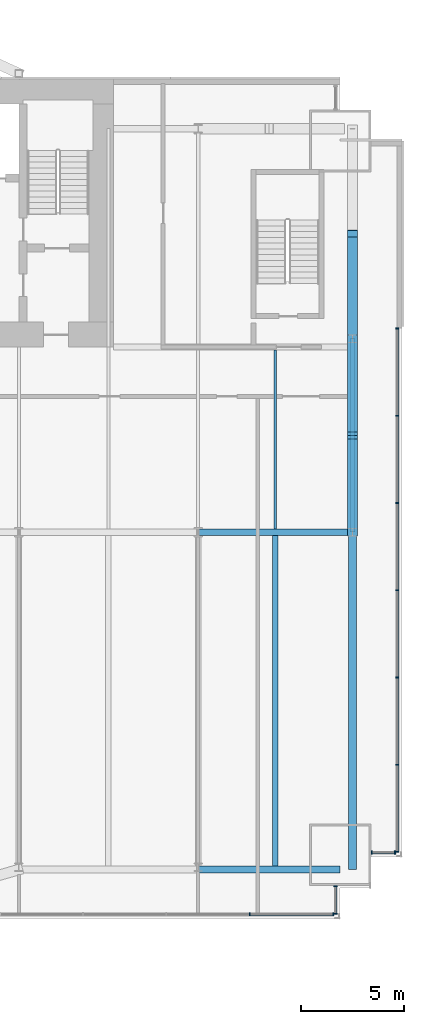
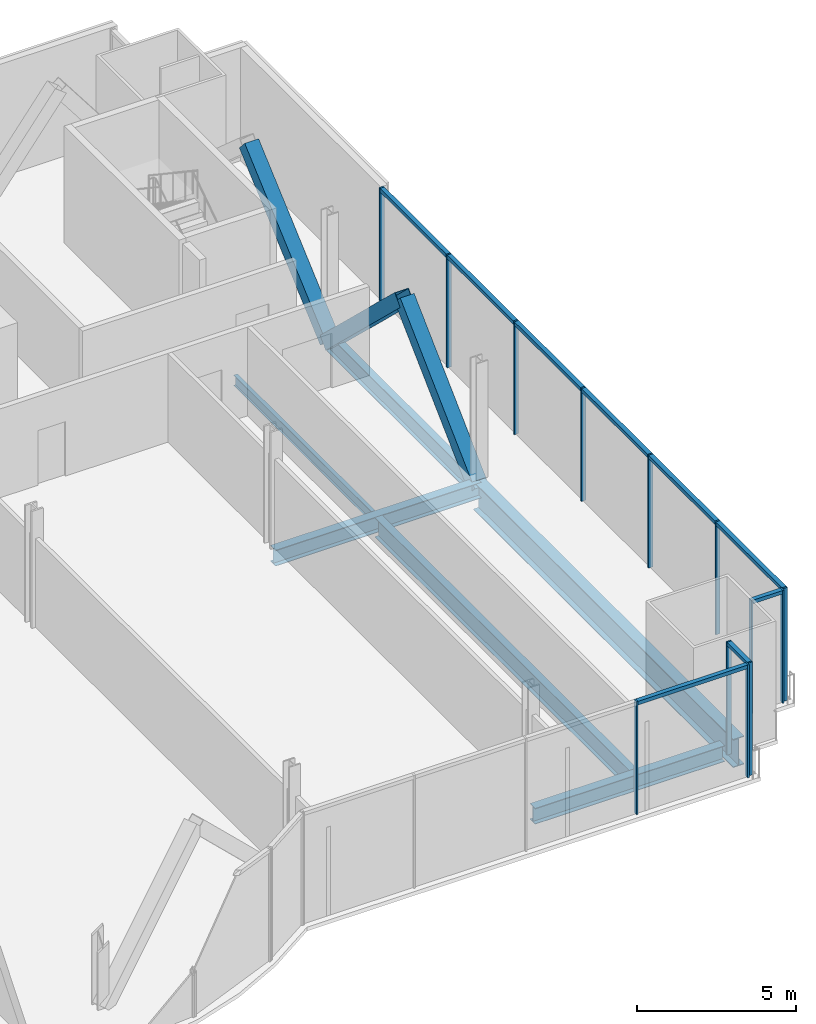
# One storey, part 12 of 21: 25 members, 6 beams, 4 elements without a shape of their own.
"""IFC4 building model written with IfcOpenShell, lengths in metres."""

from ifc_helpers import new_model, si_unit, direction, frame, origin, origin_2d, place, context, subcontext, project, spatial, rectangle, hollow_rectangle, i_section, extrude, material, material_profile, profile_set, type_object, element, aggregate, save


model = new_model("IFC4")

# Units and contexts
model_context = context("Model", 3, precision=1e-05, world=origin(), true_north=direction((0.0, 1.0)))
body_context = subcontext(model_context, "Body", "Model", "MODEL_VIEW")
ifc_project = project(units=[si_unit("LENGTHUNIT", "METRE"), si_unit("AREAUNIT", "SQUARE_METRE"), si_unit("VOLUMEUNIT", "CUBIC_METRE"), si_unit("PLANEANGLEUNIT", "RADIAN"), si_unit("MASSUNIT", "GRAM", prefix="KILO")], contexts=[model_context])

# Site, building, storey
site_placement = place(None, origin())
site = spatial("IfcSite", under=ifc_project, at=site_placement, CompositionType="ELEMENT")
building_placement = place(site_placement, origin())
building = spatial("IfcBuilding", under=site, at=building_placement, Name="Bicima Exchange Tower", CompositionType="ELEMENT")
storey_placement = place(building_placement, frame((0.0, 0.0, 57.5)))
storey = spatial("IfcBuildingStorey", under=building, at=storey_placement, Name="L11", CompositionType="ELEMENT", Elevation=57.5)

# Curtain wall, members
ifc_material_1 = material(Name="Anodised bronze aluminium", Category="aluminium")
curtain_wall_type_1 = type_object("IfcCurtainWallType", Name="End face glass wall", PredefinedType="NOTDEFINED", material=ifc_material_1)
curtain_wall_1_placement = place(storey_placement, origin())
curtain_wall_1 = element("IfcCurtainWall", 1, at=curtain_wall_1_placement, inside=storey, type_object=curtain_wall_type_1, Name="End face glass wall L11 run 19", PredefinedType="NOTDEFINED")
ifc_material_profile_1 = material_profile(ifc_material_1, rectangle(XDim=0.159912109375, YDim=0.06005859375, at=origin_2d()))
ifc_profile_set_1 = profile_set([ifc_material_profile_1], Name="Anodised bronze aluminium")
member_type_1 = type_object("IfcMemberType", Name="End face glass wall mullion 60 x 160", PredefinedType="MULLION", material=ifc_profile_set_1)
member_1_placement = place(storey_placement, frame((35.77001953125, -37.52001953125, 0.0), z_axis=(0.0, 0.0, 1.0), x_axis=(-1.0, 0.0, 0.0)))
member_1 = element("IfcMember", 2, at=member_1_placement, type_object=member_type_1, Name="End face glass wall mullion 1", PredefinedType="MULLION", context=body_context, shape_type="SweptSolid", body=[
    extrude(rectangle(XDim=0.159912109375, YDim=0.06005859375, at=origin_2d()), origin(), (0.0, 0.0, 1.0), 4.35009765625),
])
member_2_placement = place(storey_placement, frame((35.77001953125, -33.284912109375, 0.0), z_axis=(0.0, 0.0, 1.0), x_axis=(-1.0, 0.0, 0.0)))
member_2 = element("IfcMember", 3, at=member_2_placement, type_object=member_type_1, Name="End face glass wall mullion 2", PredefinedType="MULLION", context=body_context, shape_type="SweptSolid", body=[
    extrude(rectangle(XDim=0.159912109375, YDim=0.06005859375, at=origin_2d()), origin(), (0.0, 0.0, 1.0), 4.35009765625),
])
member_3_placement = place(storey_placement, frame((35.77001953125, -29.050048828125, 0.0), z_axis=(0.0, 0.0, 1.0), x_axis=(-1.0, 0.0, 0.0)))
member_3 = element("IfcMember", 4, at=member_3_placement, type_object=member_type_1, Name="End face glass wall mullion 3", PredefinedType="MULLION", context=body_context, shape_type="SweptSolid", body=[
    extrude(rectangle(XDim=0.159912109375, YDim=0.06005859375, at=origin_2d()), origin(), (0.0, 0.0, 1.0), 4.35009765625),
])
member_4_placement = place(storey_placement, frame((35.77001953125, -24.81494140625, 0.0), z_axis=(0.0, 0.0, 1.0), x_axis=(-1.0, 0.0, 0.0)))
member_4 = element("IfcMember", 5, at=member_4_placement, type_object=member_type_1, Name="End face glass wall mullion 4", PredefinedType="MULLION", context=body_context, shape_type="SweptSolid", body=[
    extrude(rectangle(XDim=0.159912109375, YDim=0.06005859375, at=origin_2d()), origin(), (0.0, 0.0, 1.0), 4.35009765625),
])
member_5_placement = place(storey_placement, frame((35.77001953125, -20.580078125, 0.0), z_axis=(0.0, 0.0, 1.0), x_axis=(-1.0, 0.0, 0.0)))
member_5 = element("IfcMember", 6, at=member_5_placement, type_object=member_type_1, Name="End face glass wall mullion 5", PredefinedType="MULLION", context=body_context, shape_type="SweptSolid", body=[
    extrude(rectangle(XDim=0.159912109375, YDim=0.06005859375, at=origin_2d()), origin(), (0.0, 0.0, 1.0), 4.35009765625),
])
member_6_placement = place(storey_placement, frame((35.77001953125, -16.344970703125, 0.0), z_axis=(0.0, 0.0, 1.0), x_axis=(-1.0, 0.0, 0.0)))
member_6 = element("IfcMember", 7, at=member_6_placement, type_object=member_type_1, Name="End face glass wall mullion 6", PredefinedType="MULLION", context=body_context, shape_type="SweptSolid", body=[
    extrude(rectangle(XDim=0.159912109375, YDim=0.06005859375, at=origin_2d()), origin(), (0.0, 0.0, 1.0), 4.35009765625),
])
member_7_placement = place(storey_placement, frame((35.77001953125, -12.110107421875, 0.0), z_axis=(0.0, 0.0, 1.0), x_axis=(-1.0, 0.0, 0.0)))
member_7 = element("IfcMember", 8, at=member_7_placement, type_object=member_type_1, Name="End face glass wall mullion 7", PredefinedType="MULLION", context=body_context, shape_type="SweptSolid", body=[
    extrude(rectangle(XDim=0.159912109375, YDim=0.06005859375, at=origin_2d()), origin(), (0.0, 0.0, 1.0), 4.35009765625),
])
ifc_material_profile_2 = material_profile(ifc_material_1, rectangle(XDim=0.159912109375, YDim=0.139892578125, at=origin_2d()))
ifc_profile_set_2 = profile_set([ifc_material_profile_2], Name="Anodised bronze aluminium")
member_type_2 = type_object("IfcMemberType", Name="End face glass wall transom 140 x 160", PredefinedType="USERDEFINED", material=ifc_profile_set_2)
member_8_placement = place(storey_placement, frame((35.77001953125, -37.489990234375, 4.280029296875), z_axis=(0.0, 1.0, 0.0), x_axis=(-1.0, 0.0, 0.0)))
member_8 = element("IfcMember", 9, at=member_8_placement, type_object=member_type_2, Name="End face glass wall transom 1.1", ObjectType="TRANSOM", PredefinedType="USERDEFINED", context=body_context, shape_type="SweptSolid", body=[
    extrude(rectangle(XDim=0.159912109375, YDim=0.139892578125, at=origin_2d()), origin(), (0.0, 0.0, 1.0), 4.175048828125),
])
member_9_placement = place(storey_placement, frame((35.77001953125, -33.2548828125, 4.280029296875), z_axis=(0.0, 1.0, 0.0), x_axis=(-1.0, 0.0, 0.0)))
member_9 = element("IfcMember", 10, at=member_9_placement, type_object=member_type_2, Name="End face glass wall transom 2.1", ObjectType="TRANSOM", PredefinedType="USERDEFINED", context=body_context, shape_type="SweptSolid", body=[
    extrude(rectangle(XDim=0.159912109375, YDim=0.139892578125, at=origin_2d()), origin(), (0.0, 0.0, 1.0), 4.1748046875),
])
member_10_placement = place(storey_placement, frame((35.77001953125, -29.02001953125, 4.280029296875), z_axis=(0.0, 1.0, 0.0), x_axis=(-1.0, 0.0, 0.0)))
member_10 = element("IfcMember", 11, at=member_10_placement, type_object=member_type_2, Name="End face glass wall transom 3.1", ObjectType="TRANSOM", PredefinedType="USERDEFINED", context=body_context, shape_type="SweptSolid", body=[
    extrude(rectangle(XDim=0.159912109375, YDim=0.139892578125, at=origin_2d()), origin(), (0.0, 0.0, 1.0), 4.175048828125),
])
member_11_placement = place(storey_placement, frame((35.77001953125, -24.784912109375, 4.280029296875), z_axis=(0.0, 1.0, 0.0), x_axis=(-1.0, 0.0, 0.0)))
member_11 = element("IfcMember", 12, at=member_11_placement, type_object=member_type_2, Name="End face glass wall transom 4.1", ObjectType="TRANSOM", PredefinedType="USERDEFINED", context=body_context, shape_type="SweptSolid", body=[
    extrude(rectangle(XDim=0.159912109375, YDim=0.139892578125, at=origin_2d()), origin(), (0.0, 0.0, 1.0), 4.1748046875),
])
member_12_placement = place(storey_placement, frame((35.77001953125, -20.550048828125, 4.280029296875), z_axis=(0.0, 1.0, 0.0), x_axis=(-1.0, 0.0, 0.0)))
member_12 = element("IfcMember", 13, at=member_12_placement, type_object=member_type_2, Name="End face glass wall transom 5.1", ObjectType="TRANSOM", PredefinedType="USERDEFINED", context=body_context, shape_type="SweptSolid", body=[
    extrude(rectangle(XDim=0.159912109375, YDim=0.139892578125, at=origin_2d()), origin(), (0.0, 0.0, 1.0), 4.175048828125),
])
member_13_placement = place(storey_placement, frame((35.77001953125, -16.31494140625, 4.280029296875), z_axis=(0.0, 1.0, 0.0), x_axis=(-1.0, 0.0, 0.0)))
member_13 = element("IfcMember", 14, at=member_13_placement, type_object=member_type_2, Name="End face glass wall transom 6.1", ObjectType="TRANSOM", PredefinedType="USERDEFINED", context=body_context, shape_type="SweptSolid", body=[
    extrude(rectangle(XDim=0.159912109375, YDim=0.139892578125, at=origin_2d()), origin(), (0.0, 0.0, 1.0), 4.175048828125),
])
aggregate(curtain_wall_1, [member_1, member_2, member_3, member_4, member_5, member_6, member_7, member_8, member_9, member_10, member_11, member_12, member_13])

# Beams
ifc_material_2 = material(Name="Steel ASTM A992 Gr 50", Category="steel")
ifc_material_profile_3 = material_profile(ifc_material_2, i_section(OverallWidth=0.256591796875, OverallDepth=0.693359375, WebThickness=0.014404296875, FlangeThickness=0.023681640625, at=origin_2d()))
ifc_profile_set_3 = profile_set([ifc_material_profile_3], Name="Steel ASTM A992 Gr 50")
beam_type_1 = type_object("IfcBeamType", Name="End girder W27x114", PredefinedType="BEAM", material=ifc_profile_set_3)
beam_1_placement = place(storey_placement, frame((33.60009765625, -12.60009765625, -0.49658203125), z_axis=(0.0, -1.0, 0.0), x_axis=(1.0, 0.0, 0.0)))
element("IfcBeam", 15, at=beam_1_placement, inside=storey, type_object=beam_type_1, Name="End girder", PredefinedType="BEAM", context=body_context, shape_type="SweptSolid", body=[
    extrude(i_section(OverallWidth=0.256591796875, OverallDepth=0.693359375, WebThickness=0.014404296875, FlangeThickness=0.023681640625, at=origin_2d()), origin(), (0.0, 0.0, 1.0), 9.39990234375),
])
ifc_material_profile_4 = material_profile(ifc_material_2, i_section(OverallWidth=0.4013671875, OverallDepth=1.089599609375, WebThickness=0.01806640625, FlangeThickness=0.031005859375, at=origin_2d()))
ifc_profile_set_4 = profile_set([ifc_material_profile_4], Name="Steel ASTM A992 Gr 50")
beam_type_2 = type_object("IfcBeamType", Name="End girder W44x230", PredefinedType="BEAM", material=ifc_profile_set_4)
beam_2_placement = place(storey_placement, frame((33.60009765625, -22.0, -0.69482421875), z_axis=(0.0, -1.0, 0.0), x_axis=(1.0, 0.0, 0.0)))
element("IfcBeam", 16, at=beam_2_placement, inside=storey, type_object=beam_type_2, Name="End girder", PredefinedType="BEAM", context=body_context, shape_type="SweptSolid", body=[
    extrude(i_section(OverallWidth=0.4013671875, OverallDepth=1.089599609375, WebThickness=0.01806640625, FlangeThickness=0.031005859375, at=origin_2d()), origin(), (0.0, 0.0, 1.0), 16.3798828125),
])
ifc_material_profile_5 = material_profile(ifc_material_2, i_section(OverallWidth=0.140380859375, OverallDepth=0.40380859375, WebThickness=0.007080078125, FlangeThickness=0.01123046875, at=origin_2d()))
ifc_profile_set_5 = profile_set([ifc_material_profile_5], Name="Steel ASTM A992 Gr 50")
beam_type_3 = type_object("IfcBeamType", Name="Floor beam W16x31", PredefinedType="JOIST", material=ifc_profile_set_5)
beam_3_placement = place(storey_placement, frame((29.85009765625, -13.15234375, -0.351806640625), z_axis=(0.0, -1.0, 0.0), x_axis=(1.0, 0.0, 0.0)))
element("IfcBeam", 17, at=beam_3_placement, inside=storey, type_object=beam_type_3, Name="Floor beam", PredefinedType="JOIST", context=body_context, shape_type="SweptSolid", body=[
    extrude(i_section(OverallWidth=0.140380859375, OverallDepth=0.40380859375, WebThickness=0.007080078125, FlangeThickness=0.01123046875, at=origin_2d()), origin(), (0.0, 0.0, 1.0), 8.68505859375),
])
ifc_material_profile_6 = material_profile(ifc_material_2, i_section(OverallWidth=0.2666015625, OverallDepth=0.75439453125, WebThickness=0.01318359375, FlangeThickness=0.01708984375, at=origin_2d()))
ifc_profile_set_6 = profile_set([ifc_material_profile_6], Name="Steel ASTM A992 Gr 50")
beam_type_4 = type_object("IfcBeamType", Name="Floor beam W30x99", PredefinedType="JOIST", material=ifc_profile_set_6)
beam_4_placement = place(storey_placement, frame((29.85009765625, -22.16259765625, -0.527099609375), z_axis=(0.0, -1.0, 0.0), x_axis=(1.0, 0.0, 0.0)))
element("IfcBeam", 18, at=beam_4_placement, inside=storey, type_object=beam_type_4, Name="Floor beam", PredefinedType="JOIST", context=body_context, shape_type="SweptSolid", body=[
    extrude(i_section(OverallWidth=0.2666015625, OverallDepth=0.75439453125, WebThickness=0.01318359375, FlangeThickness=0.01708984375, at=origin_2d()), origin(), (0.0, 0.0, 1.0), 16.0546875),
])
ifc_material_profile_7 = material_profile(ifc_material_2, i_section(OverallWidth=0.3251953125, OverallDepth=0.612060546875, WebThickness=0.0126953125, FlangeThickness=0.01904296875, at=origin_2d()))
ifc_profile_set_7 = profile_set([ifc_material_profile_7], Name="Steel ASTM A992 Gr 50")
beam_type_5 = type_object("IfcBeamType", Name="Front girder W24x104", PredefinedType="BEAM", material=ifc_profile_set_7)
beam_5_placement = place(storey_placement, frame((26.10009765625, -38.3798828125, -0.4560546875), z_axis=(1.0, 0.0, 0.0), x_axis=(0.0, 1.0, 0.0)))
element("IfcBeam", 19, at=beam_5_placement, inside=storey, type_object=beam_type_5, Name="Front girder", PredefinedType="BEAM", context=body_context, shape_type="SweptSolid", body=[
    extrude(i_section(OverallWidth=0.3251953125, OverallDepth=0.612060546875, WebThickness=0.0126953125, FlangeThickness=0.01904296875, at=origin_2d()), origin(), (0.0, 0.0, 1.0), 6.89990234375),
])

# Curtain wall, members
curtain_wall_type_2 = type_object("IfcCurtainWallType", Name="Front glass wall", PredefinedType="NOTDEFINED", material=ifc_material_1)
curtain_wall_2_placement = place(storey_placement, origin())
curtain_wall_2 = element("IfcCurtainWall", 20, at=curtain_wall_2_placement, inside=storey, type_object=curtain_wall_type_2, Name="Front glass wall L11 run 16", PredefinedType="NOTDEFINED")
member_type_3 = type_object("IfcMemberType", Name="Front glass wall mullion 60 x 160", PredefinedType="MULLION", material=ifc_profile_set_1)
member_14_placement = place(storey_placement, frame((28.610595703125, -40.550048828125, 0.0), z_axis=(0.0, 0.0, 1.0), x_axis=(0.0, 1.0, 0.0)))
member_14 = element("IfcMember", 21, at=member_14_placement, type_object=member_type_3, Name="Front glass wall mullion 4", PredefinedType="MULLION", context=body_context, shape_type="SweptSolid", body=[
    extrude(rectangle(XDim=0.159912109375, YDim=0.06005859375, at=origin_2d()), origin(), (0.0, 0.0, 1.0), 4.35009765625),
])
member_15_placement = place(storey_placement, frame((32.659912109375, -40.550048828125, 0.0), z_axis=(0.0, 0.0, 1.0), x_axis=(0.0, 1.0, 0.0)))
member_15 = element("IfcMember", 22, at=member_15_placement, type_object=member_type_3, Name="Front glass wall mullion 5", PredefinedType="MULLION", context=body_context, shape_type="SweptSolid", body=[
    extrude(rectangle(XDim=0.159912109375, YDim=0.06005859375, at=origin_2d()), origin(), (0.0, 0.0, 1.0), 4.35009765625),
])

curtain_wall_3_placement = place(storey_placement, origin())
curtain_wall_3 = element("IfcCurtainWall", 23, at=curtain_wall_3_placement, inside=storey, type_object=curtain_wall_type_2, Name="Front glass wall L11 run 17", PredefinedType="NOTDEFINED")
member_16_placement = place(storey_placement, frame((32.77001953125, -40.52001953125, 0.0), z_axis=(0.0, 0.0, 1.0), x_axis=(-1.0, 0.0, 0.0)))
member_16 = element("IfcMember", 24, at=member_16_placement, type_object=member_type_3, Name="Front glass wall mullion 1", PredefinedType="MULLION", context=body_context, shape_type="SweptSolid", body=[
    extrude(rectangle(XDim=0.159912109375, YDim=0.06005859375, at=origin_2d()), origin(), (0.0, 0.0, 1.0), 4.35009765625),
])
member_17_placement = place(storey_placement, frame((32.77001953125, -39.18798828125, 0.0), z_axis=(0.0, 0.0, 1.0), x_axis=(-1.0, 0.0, 0.0)))
member_17 = element("IfcMember", 25, at=member_17_placement, type_object=member_type_3, Name="Front glass wall mullion 2", PredefinedType="MULLION", context=body_context, shape_type="SweptSolid", body=[
    extrude(rectangle(XDim=0.159912109375, YDim=0.06005859375, at=origin_2d()), origin(), (0.0, 0.0, 1.0), 4.35009765625),
])

curtain_wall_4_placement = place(storey_placement, origin())
curtain_wall_4 = element("IfcCurtainWall", 26, at=curtain_wall_4_placement, inside=storey, type_object=curtain_wall_type_2, Name="Front glass wall L11 run 18", PredefinedType="NOTDEFINED")
member_18_placement = place(storey_placement, frame((34.530029296875, -37.550048828125, 0.0), z_axis=(0.0, 0.0, 1.0), x_axis=(0.0, 1.0, 0.0)))
member_18 = element("IfcMember", 27, at=member_18_placement, type_object=member_type_3, Name="Front glass wall mullion 1", PredefinedType="MULLION", context=body_context, shape_type="SweptSolid", body=[
    extrude(rectangle(XDim=0.159912109375, YDim=0.06005859375, at=origin_2d()), origin(), (0.0, 0.0, 1.0), 4.35009765625),
])
member_19_placement = place(storey_placement, frame((35.659912109375, -37.550048828125, 0.0), z_axis=(0.0, 0.0, 1.0), x_axis=(0.0, 1.0, 0.0)))
member_19 = element("IfcMember", 28, at=member_19_placement, type_object=member_type_3, Name="Front glass wall mullion 2", PredefinedType="MULLION", context=body_context, shape_type="SweptSolid", body=[
    extrude(rectangle(XDim=0.159912109375, YDim=0.06005859375, at=origin_2d()), origin(), (0.0, 0.0, 1.0), 4.35009765625),
])

# Member
member_type_4 = type_object("IfcMemberType", Name="Front glass wall transom 140 x 160", PredefinedType="USERDEFINED", material=ifc_profile_set_2)
member_20_placement = place(storey_placement, frame((28.640380859375, -40.550048828125, 4.280029296875), z_axis=(1.0, 0.0, 0.0), x_axis=(0.0, 1.0, 0.0)))
member_20 = element("IfcMember", 29, at=member_20_placement, type_object=member_type_4, Name="Front glass wall transom 4.1", ObjectType="TRANSOM", PredefinedType="USERDEFINED", context=body_context, shape_type="SweptSolid", body=[
    extrude(rectangle(XDim=0.159912109375, YDim=0.139892578125, at=origin_2d()), origin(), (0.0, 0.0, 1.0), 3.989501953125),
])

aggregate(curtain_wall_2, [member_14, member_15, member_20])

member_21_placement = place(storey_placement, frame((32.77001953125, -40.489990234375, 4.280029296875), z_axis=(0.0, 1.0, 0.0), x_axis=(-1.0, 0.0, 0.0)))
member_21 = element("IfcMember", 30, at=member_21_placement, type_object=member_type_4, Name="Front glass wall transom 1.1", ObjectType="TRANSOM", PredefinedType="USERDEFINED", context=body_context, shape_type="SweptSolid", body=[
    extrude(rectangle(XDim=0.159912109375, YDim=0.139892578125, at=origin_2d()), origin(), (0.0, 0.0, 1.0), 1.27197265625),
])

aggregate(curtain_wall_3, [member_16, member_17, member_21])

member_22_placement = place(storey_placement, frame((34.56005859375, -37.550048828125, 4.280029296875), z_axis=(1.0, 0.0, 0.0), x_axis=(0.0, 1.0, 0.0)))
member_22 = element("IfcMember", 31, at=member_22_placement, type_object=member_type_4, Name="Front glass wall transom 1.1", ObjectType="TRANSOM", PredefinedType="USERDEFINED", context=body_context, shape_type="SweptSolid", body=[
    extrude(rectangle(XDim=0.159912109375, YDim=0.139892578125, at=origin_2d()), origin(), (0.0, 0.0, 1.0), 1.06982421875),
])

aggregate(curtain_wall_4, [member_18, member_19, member_22])

# Members
ifc_material_3 = material(Name="Steel ASTM A572 Gr 50", Category="steel")
ifc_material_profile_8 = material_profile(ifc_material_3, hollow_rectangle(XDim=0.508056640625, YDim=0.508056640625, WallThickness=0.017822265625, at=origin_2d()))
ifc_profile_set_8 = profile_set([ifc_material_profile_8], Name="Steel ASTM A572 Gr 50")
member_type_5 = type_object("IfcMemberType", Name="Mega brace HSS20x20x3/4", PredefinedType="BRACE", material=ifc_profile_set_8)
member_23_placement = place(storey_placement, frame((33.60009765625, -12.60009765625, -0.49658203125), z_axis=(0.0, 0.749844140428, 0.661614513948), x_axis=(-1.0, 0.0, 0.0)))
element("IfcMember", 32, at=member_23_placement, inside=storey, type_object=member_type_5, Name="Mega brace east end", PredefinedType="BRACE", context=body_context, shape_type="SweptSolid", body=[
    extrude(hollow_rectangle(XDim=0.508056640625, YDim=0.508056640625, WallThickness=0.017822265625, at=origin_2d()), origin(), (0.0, 0.0, 1.0), 6.801513671875),
])
for number, where, z_axis, x_axis, name in (
    (33, (33.60009765625, -12.60009765625, -0.49658203125), (0.0, -0.722304421208, 0.691575247608), (1.0, 0.0, 0.0), "Mega brace east end"),
    (34, (33.60009765625, -22.0, -0.49658203125), (0.0, 0.722304421208, 0.691575247608), (-1.0, 0.0, 0.0), "Mega brace east end"),
):
    element("IfcMember", number, at=place(storey_placement, frame(where, z_axis=z_axis, x_axis=x_axis)), inside=storey, type_object=member_type_5, Name=name, PredefinedType="BRACE", context=body_context, shape_type="SweptSolid", body=[
        extrude(hollow_rectangle(XDim=0.508056640625, YDim=0.508056640625, WallThickness=0.017822265625, at=origin_2d()), origin(), (0.0, 0.0, 1.0), 6.5068359375),
    ])

# Beam
beam_type_6 = type_object("IfcBeamType", Name="Row girder W24x104", PredefinedType="BEAM", material=ifc_profile_set_7)
beam_6_placement = place(storey_placement, frame((26.10009765625, -22.0, -0.4560546875), z_axis=(1.0, 0.0, 0.0), x_axis=(0.0, 1.0, 0.0)))
element("IfcBeam", 35, at=beam_6_placement, inside=storey, type_object=beam_type_6, Name="Row girder", PredefinedType="BEAM", context=body_context, shape_type="SweptSolid", body=[
    extrude(i_section(OverallWidth=0.3251953125, OverallDepth=0.612060546875, WebThickness=0.0126953125, FlangeThickness=0.01904296875, at=origin_2d()), origin(), (0.0, 0.0, 1.0), 7.5),
])

save(model, "model.ifc")
